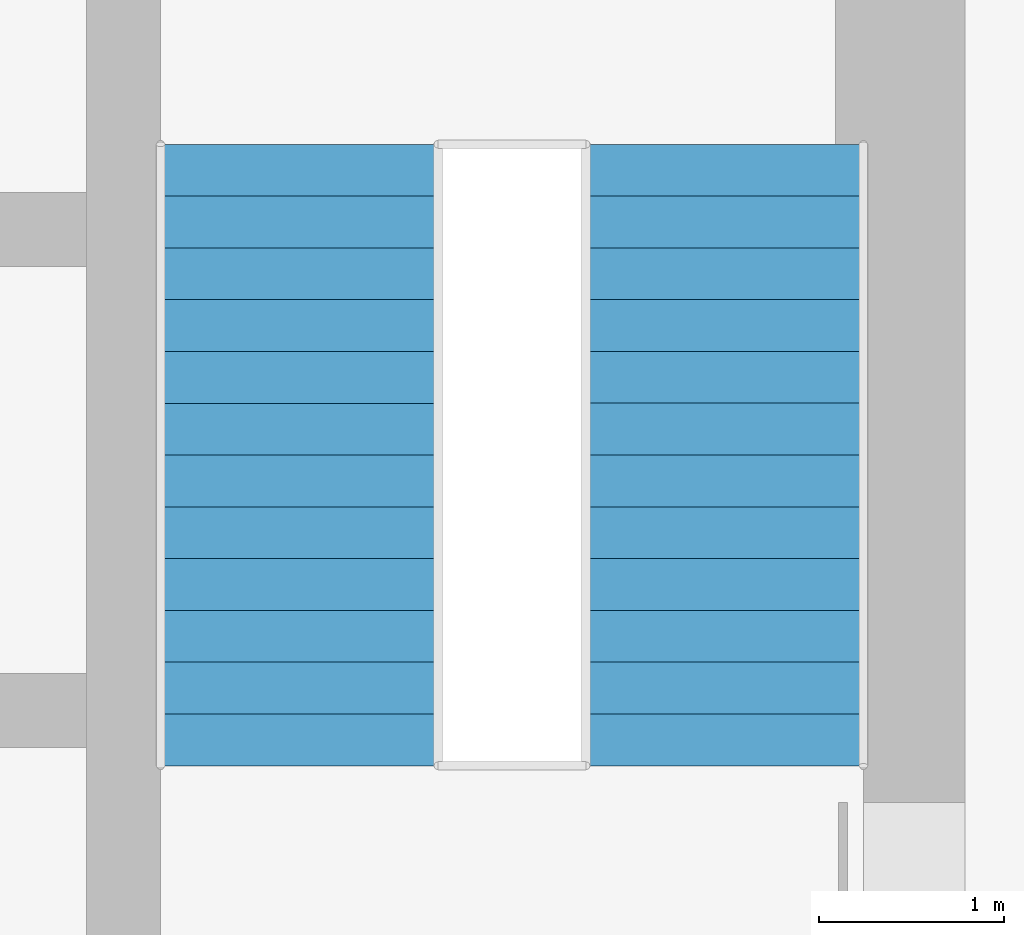
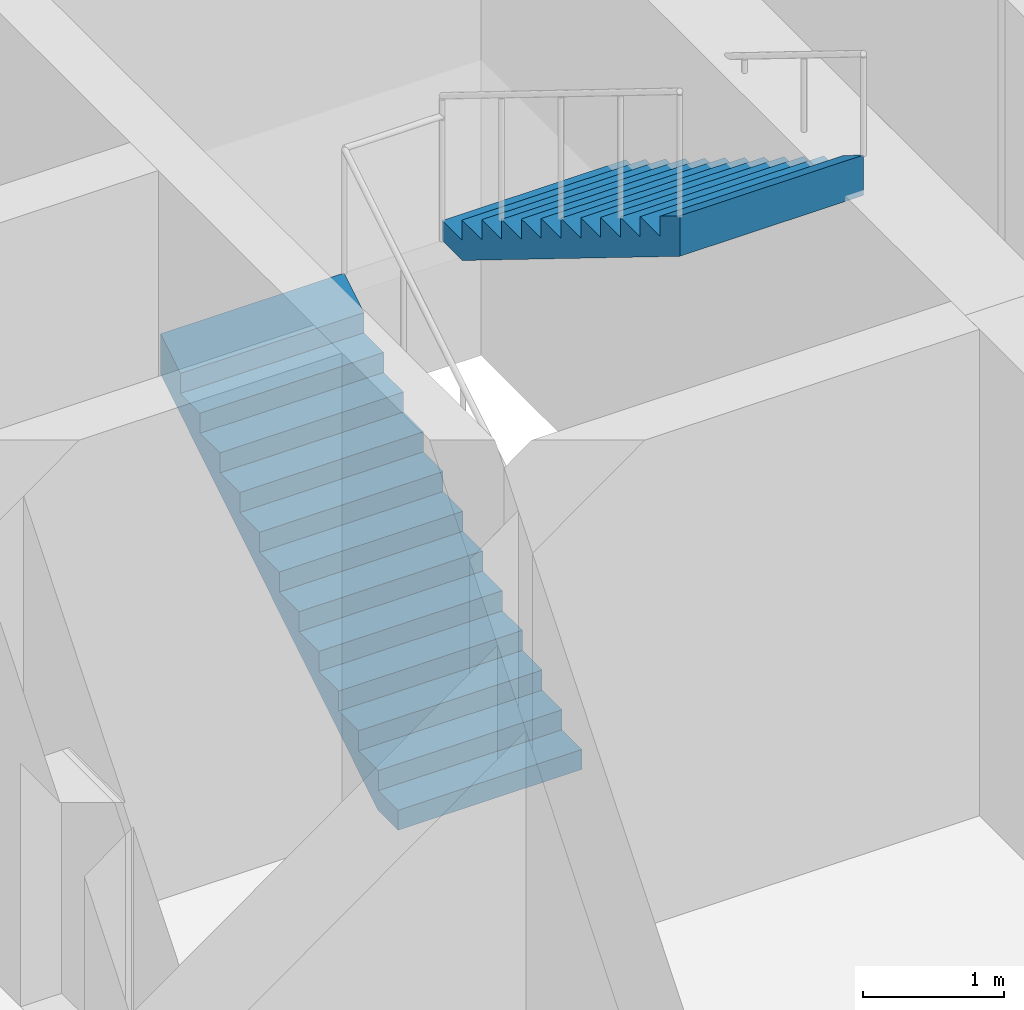
# One storey, part 7 of 8: 2 stair flights, 1 element without a shape of its own.
"""IFC4 building model written with IfcOpenShell, lengths in metres."""

from ifc_helpers import new_model, si_unit, direction, frame, origin, place, context, subcontext, project, spatial, triangles, material, type_object, element, aggregate, save


model = new_model("IFC4")

# Units and contexts
model_context = context("Model", 3, precision=1e-05, world=origin(), true_north=direction((0.0, 1.0)))
body_context = subcontext(model_context, "Body", "Model", "MODEL_VIEW")
ifc_project = project(units=[si_unit("LENGTHUNIT", "METRE"), si_unit("AREAUNIT", "SQUARE_METRE"), si_unit("VOLUMEUNIT", "CUBIC_METRE"), si_unit("PLANEANGLEUNIT", "RADIAN"), si_unit("MASSUNIT", "GRAM", prefix="KILO")], contexts=[model_context])

# Site, building, storey
site_placement = place(None, origin())
site = spatial("IfcSite", under=ifc_project, at=site_placement, CompositionType="ELEMENT")
building_placement = place(site_placement, origin())
building = spatial("IfcBuilding", under=site, at=building_placement, Name="Ludao Terraces", CompositionType="ELEMENT")
storey_placement = place(building_placement, frame((0.0, 0.0, 46.699951171875)))
storey = spatial("IfcBuildingStorey", under=building, at=storey_placement, Name="L12", CompositionType="ELEMENT", Elevation=46.699951171875)

# Stair, stair flights
ifc_material = material(Name="Concrete C40", Category="concrete")
stair_type = type_object("IfcStairType", Name="INT Stair", PredefinedType="HALF_TURN_STAIR", material=ifc_material)
stair_placement = place(storey_placement, origin())
stair = element("IfcStair", 1, at=stair_placement, inside=storey, type_object=stair_type, Name="EXIT STAIR 2", PredefinedType="HALF_TURN_STAIR")
stair_flight_type = type_object("IfcStairFlightType", Name="INT Stair flight", PredefinedType="STRAIGHT", material=ifc_material)
stair_flight_1_placement = place(storey_placement, frame((91.5, 79.0, 0.0), z_axis=(0.0, 0.0, 1.0), x_axis=(0.0, 1.0, 0.0)))
stair_flight_1 = element("IfcStairFlight", 2, at=stair_flight_1_placement, type_object=stair_flight_type, Name="ST2 flight 1", NumberOfRisers=13, NumberOfTreads=12, PredefinedType="STRAIGHT", RiserHeight=0.173077, TreadLength=0.28, context=body_context, shape_type="Tessellation", body=[
    triangles([(0.0, -0.75, 0.0), (0.0, -0.5, 0.0), (0.0, -0.25, 0.0), (0.0, 0.0, 0.0), (0.0, 0.25, 0.0), (0.0, 0.5, 0.0), (0.0, 0.75, 0.0), (0.0, -0.75, 0.173095703125), (0.0, -0.5, 0.173095703125), (0.0, -0.25, 0.173095703125), (0.0, 0.0, 0.173095703125), (0.0, 0.25, 0.173095703125), (0.0, 0.5, 0.173095703125), (0.0, 0.75, 0.173095703125), (0.280029296875, -0.75, 0.173095703125), (0.280029296875, -0.5, 0.173095703125), (0.280029296875, -0.25, 0.173095703125), (0.280029296875, 0.0, 0.173095703125), (0.280029296875, 0.25, 0.173095703125), (0.280029296875, 0.5, 0.173095703125), (0.280029296875, 0.75, 0.173095703125), (0.280029296875, -0.75, 0.34619140625), (0.280029296875, -0.5, 0.34619140625), (0.280029296875, -0.25, 0.34619140625), (0.280029296875, 0.0, 0.34619140625), (0.280029296875, 0.25, 0.34619140625), (0.280029296875, 0.5, 0.34619140625), (0.280029296875, 0.75, 0.34619140625), (0.56005859375, -0.75, 0.34619140625), (0.56005859375, -0.5, 0.34619140625), (0.56005859375, -0.25, 0.34619140625), (0.56005859375, 0.0, 0.34619140625), (0.56005859375, 0.25, 0.34619140625), (0.56005859375, 0.5, 0.34619140625), (0.56005859375, 0.75, 0.34619140625), (0.56005859375, -0.75, 0.519287109375), (0.56005859375, -0.5, 0.519287109375), (0.56005859375, -0.25, 0.519287109375), (0.56005859375, 0.0, 0.519287109375), (0.56005859375, 0.25, 0.519287109375), (0.56005859375, 0.5, 0.519287109375), (0.56005859375, 0.75, 0.519287109375), (0.840087890625, -0.75, 0.519287109375), (0.840087890625, -0.5, 0.519287109375), (0.840087890625, -0.25, 0.519287109375), (0.840087890625, 0.0, 0.519287109375), (0.840087890625, 0.25, 0.519287109375), (0.840087890625, 0.5, 0.519287109375), (0.840087890625, 0.75, 0.519287109375), (0.840087890625, -0.75, 0.6923828125), (0.840087890625, -0.5, 0.6923828125), (0.840087890625, -0.25, 0.6923828125), (0.840087890625, 0.0, 0.6923828125), (0.840087890625, 0.25, 0.6923828125), (0.840087890625, 0.5, 0.6923828125), (0.840087890625, 0.75, 0.6923828125), (1.1201171875, -0.75, 0.6923828125), (1.1201171875, -0.5, 0.6923828125), (1.1201171875, -0.25, 0.6923828125), (1.1201171875, 0.0, 0.6923828125), (1.1201171875, 0.25, 0.6923828125), (1.1201171875, 0.5, 0.6923828125), (1.1201171875, 0.75, 0.6923828125), (1.1201171875, -0.75, 0.865478515625), (1.1201171875, -0.5, 0.865478515625), (1.1201171875, -0.25, 0.865478515625), (1.1201171875, 0.0, 0.865478515625), (1.1201171875, 0.25, 0.865478515625), (1.1201171875, 0.5, 0.865478515625), (1.1201171875, 0.75, 0.865478515625), (1.39990234375, -0.75, 0.865478515625), (1.39990234375, -0.5, 0.865478515625), (1.39990234375, -0.25, 0.865478515625), (1.39990234375, 0.0, 0.865478515625), (1.39990234375, 0.25, 0.865478515625), (1.39990234375, 0.5, 0.865478515625), (1.39990234375, 0.75, 0.865478515625), (1.39990234375, -0.75, 1.03857421875), (1.39990234375, -0.5, 1.03857421875), (1.39990234375, -0.25, 1.03857421875), (1.39990234375, 0.0, 1.03857421875), (1.39990234375, 0.25, 1.03857421875), (1.39990234375, 0.5, 1.03857421875), (1.39990234375, 0.75, 1.03857421875), (1.679931640625, -0.75, 1.03857421875), (1.679931640625, -0.5, 1.03857421875), (1.679931640625, -0.25, 1.03857421875), (1.679931640625, 0.0, 1.03857421875), (1.679931640625, 0.25, 1.03857421875), (1.679931640625, 0.5, 1.03857421875), (1.679931640625, 0.75, 1.03857421875), (1.679931640625, -0.75, 1.21142578125), (1.679931640625, -0.5, 1.21142578125), (1.679931640625, -0.25, 1.21142578125), (1.679931640625, 0.0, 1.21142578125), (1.679931640625, 0.25, 1.21142578125), (1.679931640625, 0.5, 1.21142578125), (1.679931640625, 0.75, 1.21142578125), (1.9599609375, -0.75, 1.21142578125), (1.9599609375, -0.5, 1.21142578125), (1.9599609375, -0.25, 1.21142578125), (1.9599609375, 0.0, 1.21142578125), (1.9599609375, 0.25, 1.21142578125), (1.9599609375, 0.5, 1.21142578125), (1.9599609375, 0.75, 1.21142578125), (1.9599609375, -0.75, 1.384521484375), (1.9599609375, -0.5, 1.384521484375), (1.9599609375, -0.25, 1.384521484375), (1.9599609375, 0.0, 1.384521484375), (1.9599609375, 0.25, 1.384521484375), (1.9599609375, 0.5, 1.384521484375), (1.9599609375, 0.75, 1.384521484375), (2.239990234375, -0.75, 1.384521484375), (2.239990234375, -0.5, 1.384521484375), (2.239990234375, -0.25, 1.384521484375), (2.239990234375, 0.0, 1.384521484375), (2.239990234375, 0.25, 1.384521484375), (2.239990234375, 0.5, 1.384521484375), (2.239990234375, 0.75, 1.384521484375), (2.239990234375, -0.75, 1.5576171875), (2.239990234375, -0.5, 1.5576171875), (2.239990234375, -0.25, 1.5576171875), (2.239990234375, 0.0, 1.5576171875), (2.239990234375, 0.25, 1.5576171875), (2.239990234375, 0.5, 1.5576171875), (2.239990234375, 0.75, 1.5576171875), (2.52001953125, -0.75, 1.5576171875), (2.52001953125, -0.5, 1.5576171875), (2.52001953125, -0.25, 1.5576171875), (2.52001953125, 0.0, 1.5576171875), (2.52001953125, 0.25, 1.5576171875), (2.52001953125, 0.5, 1.5576171875), (2.52001953125, 0.75, 1.5576171875), (2.52001953125, -0.75, 1.730712890625), (2.52001953125, -0.5, 1.730712890625), (2.52001953125, -0.25, 1.730712890625), (2.52001953125, 0.0, 1.730712890625), (2.52001953125, 0.25, 1.730712890625), (2.52001953125, 0.5, 1.730712890625), (2.52001953125, 0.75, 1.730712890625), (2.800048828125, -0.75, 1.730712890625), (2.800048828125, -0.5, 1.730712890625), (2.800048828125, -0.25, 1.730712890625), (2.800048828125, 0.0, 1.730712890625), (2.800048828125, 0.25, 1.730712890625), (2.800048828125, 0.5, 1.730712890625), (2.800048828125, 0.75, 1.730712890625), (2.800048828125, -0.75, 1.90380859375), (2.800048828125, -0.5, 1.90380859375), (2.800048828125, -0.25, 1.90380859375), (2.800048828125, 0.0, 1.90380859375), (2.800048828125, 0.25, 1.90380859375), (2.800048828125, 0.5, 1.90380859375), (2.800048828125, 0.75, 1.90380859375), (3.080078125, -0.75, 1.90380859375), (3.080078125, -0.5, 1.90380859375), (3.080078125, -0.25, 1.90380859375), (3.080078125, 0.0, 1.90380859375), (3.080078125, 0.25, 1.90380859375), (3.080078125, 0.5, 1.90380859375), (3.080078125, 0.75, 1.90380859375), (3.080078125, -0.75, 2.076904296875), (3.080078125, -0.5, 2.076904296875), (3.080078125, -0.25, 2.076904296875), (3.080078125, 0.0, 2.076904296875), (3.080078125, 0.25, 2.076904296875), (3.080078125, 0.5, 2.076904296875), (3.080078125, 0.75, 2.076904296875), (3.360107421875, -0.75, 2.25), (3.360107421875, -0.5, 2.25), (3.360107421875, -0.25, 2.25), (3.360107421875, 0.0, 2.25), (3.360107421875, 0.25, 2.25), (3.360107421875, 0.5, 2.25), (3.360107421875, 0.75, 2.25), (3.360107421875, -0.75, 1.900634765625), (3.360107421875, -0.5, 1.900634765625), (3.360107421875, -0.25, 1.900634765625), (3.360107421875, 0.0, 1.900634765625), (3.360107421875, 0.25, 1.900634765625), (3.360107421875, 0.5, 1.900634765625), (3.360107421875, 0.75, 1.900634765625), (0.28515625, -0.75, 0.0), (0.28515625, -0.5, 0.0), (0.28515625, -0.25, 0.0), (0.28515625, 0.0, 0.0), (0.28515625, 0.25, 0.0), (0.28515625, 0.5, 0.0), (0.28515625, 0.75, 0.0)], [[1, 183, 176], [7, 182, 189], [176, 169, 162], [182, 168, 175], [176, 162, 155], [182, 161, 168], [176, 155, 148], [182, 154, 161], [176, 148, 141], [182, 147, 154], [141, 134, 127], [147, 133, 140], [176, 141, 127], [182, 133, 147], [127, 120, 113], [133, 119, 126], [176, 127, 113], [182, 119, 133], [113, 106, 99], [119, 105, 112], [176, 113, 99], [182, 105, 119], [1, 176, 99], [7, 105, 182], [99, 92, 85], [105, 91, 98], [85, 78, 71], [91, 77, 84], [99, 85, 71], [105, 77, 91], [71, 64, 57], [77, 63, 70], [99, 71, 57], [105, 63, 77], [57, 50, 43], [63, 49, 56], [99, 57, 43], [105, 49, 63], [43, 36, 29], [49, 35, 42], [99, 43, 29], [105, 35, 49], [29, 22, 15], [35, 21, 28], [99, 29, 15], [105, 21, 35], [1, 99, 15], [7, 21, 105], [15, 8, 1], [21, 7, 14], [1, 9, 2], [1, 8, 9], [2, 10, 3], [2, 9, 10], [3, 11, 4], [3, 10, 11], [4, 12, 5], [4, 11, 12], [5, 13, 6], [5, 12, 13], [6, 14, 7], [6, 13, 14], [8, 16, 9], [8, 15, 16], [9, 17, 10], [9, 16, 17], [10, 18, 11], [10, 17, 18], [11, 19, 12], [11, 18, 19], [12, 20, 13], [12, 19, 20], [13, 21, 14], [13, 20, 21], [15, 23, 16], [15, 22, 23], [16, 24, 17], [16, 23, 24], [17, 25, 18], [17, 24, 25], [18, 26, 19], [18, 25, 26], [19, 27, 20], [19, 26, 27], [20, 28, 21], [20, 27, 28], [22, 30, 23], [22, 29, 30], [23, 31, 24], [23, 30, 31], [24, 32, 25], [24, 31, 32], [25, 33, 26], [25, 32, 33], [26, 34, 27], [26, 33, 34], [27, 35, 28], [27, 34, 35], [29, 37, 30], [29, 36, 37], [30, 38, 31], [30, 37, 38], [31, 39, 32], [31, 38, 39], [32, 40, 33], [32, 39, 40], [33, 41, 34], [33, 40, 41], [34, 42, 35], [34, 41, 42], [36, 44, 37], [36, 43, 44], [37, 45, 38], [37, 44, 45], [38, 46, 39], [38, 45, 46], [39, 47, 40], [39, 46, 47], [40, 48, 41], [40, 47, 48], [41, 49, 42], [41, 48, 49], [43, 51, 44], [43, 50, 51], [44, 52, 45], [44, 51, 52], [45, 53, 46], [45, 52, 53], [46, 54, 47], [46, 53, 54], [47, 55, 48], [47, 54, 55], [48, 56, 49], [48, 55, 56], [50, 58, 51], [50, 57, 58], [51, 59, 52], [51, 58, 59], [52, 60, 53], [52, 59, 60], [53, 61, 54], [53, 60, 61], [54, 62, 55], [54, 61, 62], [55, 63, 56], [55, 62, 63], [57, 65, 58], [57, 64, 65], [58, 66, 59], [58, 65, 66], [59, 67, 60], [59, 66, 67], [60, 68, 61], [60, 67, 68], [61, 69, 62], [61, 68, 69], [62, 70, 63], [62, 69, 70], [64, 72, 65], [64, 71, 72], [65, 73, 66], [65, 72, 73], [66, 74, 67], [66, 73, 74], [67, 75, 68], [67, 74, 75], [68, 76, 69], [68, 75, 76], [69, 77, 70], [69, 76, 77], [71, 79, 72], [71, 78, 79], [72, 80, 73], [72, 79, 80], [73, 81, 74], [73, 80, 81], [74, 82, 75], [74, 81, 82], [75, 83, 76], [75, 82, 83], [76, 84, 77], [76, 83, 84], [78, 86, 79], [78, 85, 86], [79, 87, 80], [79, 86, 87], [80, 88, 81], [80, 87, 88], [81, 89, 82], [81, 88, 89], [82, 90, 83], [82, 89, 90], [83, 91, 84], [83, 90, 91], [85, 93, 86], [85, 92, 93], [86, 94, 87], [86, 93, 94], [87, 95, 88], [87, 94, 95], [88, 96, 89], [88, 95, 96], [89, 97, 90], [89, 96, 97], [90, 98, 91], [90, 97, 98], [92, 100, 93], [92, 99, 100], [93, 101, 94], [93, 100, 101], [94, 102, 95], [94, 101, 102], [95, 103, 96], [95, 102, 103], [96, 104, 97], [96, 103, 104], [97, 105, 98], [97, 104, 105], [99, 107, 100], [99, 106, 107], [100, 108, 101], [100, 107, 108], [101, 109, 102], [101, 108, 109], [102, 110, 103], [102, 109, 110], [103, 111, 104], [103, 110, 111], [104, 112, 105], [104, 111, 112], [106, 114, 107], [106, 113, 114], [107, 115, 108], [107, 114, 115], [108, 116, 109], [108, 115, 116], [109, 117, 110], [109, 116, 117], [110, 118, 111], [110, 117, 118], [111, 119, 112], [111, 118, 119], [113, 121, 114], [113, 120, 121], [114, 122, 115], [114, 121, 122], [115, 123, 116], [115, 122, 123], [116, 124, 117], [116, 123, 124], [117, 125, 118], [117, 124, 125], [118, 126, 119], [118, 125, 126], [120, 128, 121], [120, 127, 128], [121, 129, 122], [121, 128, 129], [122, 130, 123], [122, 129, 130], [123, 131, 124], [123, 130, 131], [124, 132, 125], [124, 131, 132], [125, 133, 126], [125, 132, 133], [127, 135, 128], [127, 134, 135], [128, 136, 129], [128, 135, 136], [129, 137, 130], [129, 136, 137], [130, 138, 131], [130, 137, 138], [131, 139, 132], [131, 138, 139], [132, 140, 133], [132, 139, 140], [134, 142, 135], [134, 141, 142], [135, 143, 136], [135, 142, 143], [136, 144, 137], [136, 143, 144], [137, 145, 138], [137, 144, 145], [138, 146, 139], [138, 145, 146], [139, 147, 140], [139, 146, 147], [141, 149, 142], [141, 148, 149], [142, 150, 143], [142, 149, 150], [143, 151, 144], [143, 150, 151], [144, 152, 145], [144, 151, 152], [145, 153, 146], [145, 152, 153], [146, 154, 147], [146, 153, 154], [148, 156, 149], [148, 155, 156], [149, 157, 150], [149, 156, 157], [150, 158, 151], [150, 157, 158], [151, 159, 152], [151, 158, 159], [152, 160, 153], [152, 159, 160], [153, 161, 154], [153, 160, 161], [155, 163, 156], [155, 162, 163], [156, 164, 157], [156, 163, 164], [157, 165, 158], [157, 164, 165], [158, 166, 159], [158, 165, 166], [159, 167, 160], [159, 166, 167], [160, 168, 161], [160, 167, 168], [162, 170, 163], [162, 169, 170], [163, 171, 164], [163, 170, 171], [164, 172, 165], [164, 171, 172], [165, 173, 166], [165, 172, 173], [166, 174, 167], [166, 173, 174], [167, 175, 168], [167, 174, 175], [169, 177, 170], [169, 176, 177], [170, 178, 171], [170, 177, 178], [171, 179, 172], [171, 178, 179], [172, 180, 173], [172, 179, 180], [173, 181, 174], [173, 180, 181], [174, 182, 175], [174, 181, 182], [176, 184, 177], [176, 183, 184], [177, 185, 178], [177, 184, 185], [178, 186, 179], [178, 185, 186], [179, 187, 180], [179, 186, 187], [180, 188, 181], [180, 187, 188], [181, 189, 182], [181, 188, 189], [183, 2, 184], [183, 1, 2], [184, 3, 185], [184, 2, 3], [185, 4, 186], [185, 3, 4], [186, 5, 187], [186, 4, 5], [187, 6, 188], [187, 5, 6], [188, 7, 189], [188, 6, 7]], closed=True),
])
stair_flight_2_placement = place(storey_placement, frame((93.800048828125, 82.360107421875, 2.25), z_axis=(0.0, 0.0, 1.0), x_axis=(0.0, -1.0, 0.0)))
stair_flight_2 = element("IfcStairFlight", 3, at=stair_flight_2_placement, type_object=stair_flight_type, Name="ST2 flight 2", NumberOfRisers=13, NumberOfTreads=12, PredefinedType="STRAIGHT", RiserHeight=0.173077, TreadLength=0.28, context=body_context, shape_type="Tessellation", body=[
    triangles([(0.0, -0.75, 0.0), (0.0, -0.5, 0.0), (0.0, -0.25, 0.0), (0.0, 0.0, 0.0), (0.0, 0.25, 0.0), (0.0, 0.5, 0.0), (0.0, 0.75, 0.0), (0.0, -0.75, 0.173095703125), (0.0, -0.5, 0.173095703125), (0.0, -0.25, 0.173095703125), (0.0, 0.0, 0.173095703125), (0.0, 0.25, 0.173095703125), (0.0, 0.5, 0.173095703125), (0.0, 0.75, 0.173095703125), (0.280029296875, -0.75, 0.173095703125), (0.280029296875, -0.5, 0.173095703125), (0.280029296875, -0.25, 0.173095703125), (0.280029296875, 0.0, 0.173095703125), (0.280029296875, 0.25, 0.173095703125), (0.280029296875, 0.5, 0.173095703125), (0.280029296875, 0.75, 0.173095703125), (0.280029296875, -0.75, 0.34619140625), (0.280029296875, -0.5, 0.34619140625), (0.280029296875, -0.25, 0.34619140625), (0.280029296875, 0.0, 0.34619140625), (0.280029296875, 0.25, 0.34619140625), (0.280029296875, 0.5, 0.34619140625), (0.280029296875, 0.75, 0.34619140625), (0.56005859375, -0.75, 0.34619140625), (0.56005859375, -0.5, 0.34619140625), (0.56005859375, -0.25, 0.34619140625), (0.56005859375, 0.0, 0.34619140625), (0.56005859375, 0.25, 0.34619140625), (0.56005859375, 0.5, 0.34619140625), (0.56005859375, 0.75, 0.34619140625), (0.56005859375, -0.75, 0.519287109375), (0.56005859375, -0.5, 0.519287109375), (0.56005859375, -0.25, 0.519287109375), (0.56005859375, 0.0, 0.519287109375), (0.56005859375, 0.25, 0.519287109375), (0.56005859375, 0.5, 0.519287109375), (0.56005859375, 0.75, 0.519287109375), (0.840087890625, -0.75, 0.519287109375), (0.840087890625, -0.5, 0.519287109375), (0.840087890625, -0.25, 0.519287109375), (0.840087890625, 0.0, 0.519287109375), (0.840087890625, 0.25, 0.519287109375), (0.840087890625, 0.5, 0.519287109375), (0.840087890625, 0.75, 0.519287109375), (0.840087890625, -0.75, 0.6923828125), (0.840087890625, -0.5, 0.6923828125), (0.840087890625, -0.25, 0.6923828125), (0.840087890625, 0.0, 0.6923828125), (0.840087890625, 0.25, 0.6923828125), (0.840087890625, 0.5, 0.6923828125), (0.840087890625, 0.75, 0.6923828125), (1.1201171875, -0.75, 0.6923828125), (1.1201171875, -0.5, 0.6923828125), (1.1201171875, -0.25, 0.6923828125), (1.1201171875, 0.0, 0.6923828125), (1.1201171875, 0.25, 0.6923828125), (1.1201171875, 0.5, 0.6923828125), (1.1201171875, 0.75, 0.6923828125), (1.1201171875, -0.75, 0.865478515625), (1.1201171875, -0.5, 0.865478515625), (1.1201171875, -0.25, 0.865478515625), (1.1201171875, 0.0, 0.865478515625), (1.1201171875, 0.25, 0.865478515625), (1.1201171875, 0.5, 0.865478515625), (1.1201171875, 0.75, 0.865478515625), (1.39990234375, -0.75, 0.865478515625), (1.39990234375, -0.5, 0.865478515625), (1.39990234375, -0.25, 0.865478515625), (1.39990234375, 0.0, 0.865478515625), (1.39990234375, 0.25, 0.865478515625), (1.39990234375, 0.5, 0.865478515625), (1.39990234375, 0.75, 0.865478515625), (1.39990234375, -0.75, 1.03857421875), (1.39990234375, -0.5, 1.03857421875), (1.39990234375, -0.25, 1.03857421875), (1.39990234375, 0.0, 1.03857421875), (1.39990234375, 0.25, 1.03857421875), (1.39990234375, 0.5, 1.03857421875), (1.39990234375, 0.75, 1.03857421875), (1.679931640625, -0.75, 1.03857421875), (1.679931640625, -0.5, 1.03857421875), (1.679931640625, -0.25, 1.03857421875), (1.679931640625, 0.0, 1.03857421875), (1.679931640625, 0.25, 1.03857421875), (1.679931640625, 0.5, 1.03857421875), (1.679931640625, 0.75, 1.03857421875), (1.679931640625, -0.75, 1.21142578125), (1.679931640625, -0.5, 1.21142578125), (1.679931640625, -0.25, 1.21142578125), (1.679931640625, 0.0, 1.21142578125), (1.679931640625, 0.25, 1.21142578125), (1.679931640625, 0.5, 1.21142578125), (1.679931640625, 0.75, 1.21142578125), (1.9599609375, -0.75, 1.21142578125), (1.9599609375, -0.5, 1.21142578125), (1.9599609375, -0.25, 1.21142578125), (1.9599609375, 0.0, 1.21142578125), (1.9599609375, 0.25, 1.21142578125), (1.9599609375, 0.5, 1.21142578125), (1.9599609375, 0.75, 1.21142578125), (1.9599609375, -0.75, 1.384521484375), (1.9599609375, -0.5, 1.384521484375), (1.9599609375, -0.25, 1.384521484375), (1.9599609375, 0.0, 1.384521484375), (1.9599609375, 0.25, 1.384521484375), (1.9599609375, 0.5, 1.384521484375), (1.9599609375, 0.75, 1.384521484375), (2.239990234375, -0.75, 1.384521484375), (2.239990234375, -0.5, 1.384521484375), (2.239990234375, -0.25, 1.384521484375), (2.239990234375, 0.0, 1.384521484375), (2.239990234375, 0.25, 1.384521484375), (2.239990234375, 0.5, 1.384521484375), (2.239990234375, 0.75, 1.384521484375), (2.239990234375, -0.75, 1.5576171875), (2.239990234375, -0.5, 1.5576171875), (2.239990234375, -0.25, 1.5576171875), (2.239990234375, 0.0, 1.5576171875), (2.239990234375, 0.25, 1.5576171875), (2.239990234375, 0.5, 1.5576171875), (2.239990234375, 0.75, 1.5576171875), (2.52001953125, -0.75, 1.5576171875), (2.52001953125, -0.5, 1.5576171875), (2.52001953125, -0.25, 1.5576171875), (2.52001953125, 0.0, 1.5576171875), (2.52001953125, 0.25, 1.5576171875), (2.52001953125, 0.5, 1.5576171875), (2.52001953125, 0.75, 1.5576171875), (2.52001953125, -0.75, 1.730712890625), (2.52001953125, -0.5, 1.730712890625), (2.52001953125, -0.25, 1.730712890625), (2.52001953125, 0.0, 1.730712890625), (2.52001953125, 0.25, 1.730712890625), (2.52001953125, 0.5, 1.730712890625), (2.52001953125, 0.75, 1.730712890625), (2.800048828125, -0.75, 1.730712890625), (2.800048828125, -0.5, 1.730712890625), (2.800048828125, -0.25, 1.730712890625), (2.800048828125, 0.0, 1.730712890625), (2.800048828125, 0.25, 1.730712890625), (2.800048828125, 0.5, 1.730712890625), (2.800048828125, 0.75, 1.730712890625), (2.800048828125, -0.75, 1.90380859375), (2.800048828125, -0.5, 1.90380859375), (2.800048828125, -0.25, 1.90380859375), (2.800048828125, 0.0, 1.90380859375), (2.800048828125, 0.25, 1.90380859375), (2.800048828125, 0.5, 1.90380859375), (2.800048828125, 0.75, 1.90380859375), (3.080078125, -0.75, 1.90380859375), (3.080078125, -0.5, 1.90380859375), (3.080078125, -0.25, 1.90380859375), (3.080078125, 0.0, 1.90380859375), (3.080078125, 0.25, 1.90380859375), (3.080078125, 0.5, 1.90380859375), (3.080078125, 0.75, 1.90380859375), (3.080078125, -0.75, 2.076904296875), (3.080078125, -0.5, 2.076904296875), (3.080078125, -0.25, 2.076904296875), (3.080078125, 0.0, 2.076904296875), (3.080078125, 0.25, 2.076904296875), (3.080078125, 0.5, 2.076904296875), (3.080078125, 0.75, 2.076904296875), (3.360107421875, -0.75, 2.25), (3.360107421875, -0.5, 2.25), (3.360107421875, -0.25, 2.25), (3.360107421875, 0.0, 2.25), (3.360107421875, 0.25, 2.25), (3.360107421875, 0.5, 2.25), (3.360107421875, 0.75, 2.25), (3.360107421875, -0.75, 1.900634765625), (3.360107421875, -0.5, 1.900634765625), (3.360107421875, -0.25, 1.900634765625), (3.360107421875, 0.0, 1.900634765625), (3.360107421875, 0.25, 1.900634765625), (3.360107421875, 0.5, 1.900634765625), (3.360107421875, 0.75, 1.900634765625), (0.28515625, -0.75, 0.0), (0.28515625, -0.5, 0.0), (0.28515625, -0.25, 0.0), (0.28515625, 0.0, 0.0), (0.28515625, 0.25, 0.0), (0.28515625, 0.5, 0.0), (0.28515625, 0.75, 0.0)], [[1, 183, 176], [7, 182, 189], [176, 169, 162], [182, 168, 175], [176, 162, 155], [182, 161, 168], [176, 155, 148], [182, 154, 161], [176, 148, 141], [182, 147, 154], [141, 134, 127], [147, 133, 140], [176, 141, 127], [182, 133, 147], [127, 120, 113], [133, 119, 126], [176, 127, 113], [182, 119, 133], [113, 106, 99], [119, 105, 112], [176, 113, 99], [182, 105, 119], [1, 176, 99], [7, 105, 182], [99, 92, 85], [105, 91, 98], [85, 78, 71], [91, 77, 84], [99, 85, 71], [105, 77, 91], [71, 64, 57], [77, 63, 70], [99, 71, 57], [105, 63, 77], [57, 50, 43], [63, 49, 56], [99, 57, 43], [105, 49, 63], [43, 36, 29], [49, 35, 42], [99, 43, 29], [105, 35, 49], [29, 22, 15], [35, 21, 28], [99, 29, 15], [105, 21, 35], [1, 99, 15], [7, 21, 105], [15, 8, 1], [21, 7, 14], [1, 9, 2], [1, 8, 9], [2, 10, 3], [2, 9, 10], [3, 11, 4], [3, 10, 11], [4, 12, 5], [4, 11, 12], [5, 13, 6], [5, 12, 13], [6, 14, 7], [6, 13, 14], [8, 16, 9], [8, 15, 16], [9, 17, 10], [9, 16, 17], [10, 18, 11], [10, 17, 18], [11, 19, 12], [11, 18, 19], [12, 20, 13], [12, 19, 20], [13, 21, 14], [13, 20, 21], [15, 23, 16], [15, 22, 23], [16, 24, 17], [16, 23, 24], [17, 25, 18], [17, 24, 25], [18, 26, 19], [18, 25, 26], [19, 27, 20], [19, 26, 27], [20, 28, 21], [20, 27, 28], [22, 30, 23], [22, 29, 30], [23, 31, 24], [23, 30, 31], [24, 32, 25], [24, 31, 32], [25, 33, 26], [25, 32, 33], [26, 34, 27], [26, 33, 34], [27, 35, 28], [27, 34, 35], [29, 37, 30], [29, 36, 37], [30, 38, 31], [30, 37, 38], [31, 39, 32], [31, 38, 39], [32, 40, 33], [32, 39, 40], [33, 41, 34], [33, 40, 41], [34, 42, 35], [34, 41, 42], [36, 44, 37], [36, 43, 44], [37, 45, 38], [37, 44, 45], [38, 46, 39], [38, 45, 46], [39, 47, 40], [39, 46, 47], [40, 48, 41], [40, 47, 48], [41, 49, 42], [41, 48, 49], [43, 51, 44], [43, 50, 51], [44, 52, 45], [44, 51, 52], [45, 53, 46], [45, 52, 53], [46, 54, 47], [46, 53, 54], [47, 55, 48], [47, 54, 55], [48, 56, 49], [48, 55, 56], [50, 58, 51], [50, 57, 58], [51, 59, 52], [51, 58, 59], [52, 60, 53], [52, 59, 60], [53, 61, 54], [53, 60, 61], [54, 62, 55], [54, 61, 62], [55, 63, 56], [55, 62, 63], [57, 65, 58], [57, 64, 65], [58, 66, 59], [58, 65, 66], [59, 67, 60], [59, 66, 67], [60, 68, 61], [60, 67, 68], [61, 69, 62], [61, 68, 69], [62, 70, 63], [62, 69, 70], [64, 72, 65], [64, 71, 72], [65, 73, 66], [65, 72, 73], [66, 74, 67], [66, 73, 74], [67, 75, 68], [67, 74, 75], [68, 76, 69], [68, 75, 76], [69, 77, 70], [69, 76, 77], [71, 79, 72], [71, 78, 79], [72, 80, 73], [72, 79, 80], [73, 81, 74], [73, 80, 81], [74, 82, 75], [74, 81, 82], [75, 83, 76], [75, 82, 83], [76, 84, 77], [76, 83, 84], [78, 86, 79], [78, 85, 86], [79, 87, 80], [79, 86, 87], [80, 88, 81], [80, 87, 88], [81, 89, 82], [81, 88, 89], [82, 90, 83], [82, 89, 90], [83, 91, 84], [83, 90, 91], [85, 93, 86], [85, 92, 93], [86, 94, 87], [86, 93, 94], [87, 95, 88], [87, 94, 95], [88, 96, 89], [88, 95, 96], [89, 97, 90], [89, 96, 97], [90, 98, 91], [90, 97, 98], [92, 100, 93], [92, 99, 100], [93, 101, 94], [93, 100, 101], [94, 102, 95], [94, 101, 102], [95, 103, 96], [95, 102, 103], [96, 104, 97], [96, 103, 104], [97, 105, 98], [97, 104, 105], [99, 107, 100], [99, 106, 107], [100, 108, 101], [100, 107, 108], [101, 109, 102], [101, 108, 109], [102, 110, 103], [102, 109, 110], [103, 111, 104], [103, 110, 111], [104, 112, 105], [104, 111, 112], [106, 114, 107], [106, 113, 114], [107, 115, 108], [107, 114, 115], [108, 116, 109], [108, 115, 116], [109, 117, 110], [109, 116, 117], [110, 118, 111], [110, 117, 118], [111, 119, 112], [111, 118, 119], [113, 121, 114], [113, 120, 121], [114, 122, 115], [114, 121, 122], [115, 123, 116], [115, 122, 123], [116, 124, 117], [116, 123, 124], [117, 125, 118], [117, 124, 125], [118, 126, 119], [118, 125, 126], [120, 128, 121], [120, 127, 128], [121, 129, 122], [121, 128, 129], [122, 130, 123], [122, 129, 130], [123, 131, 124], [123, 130, 131], [124, 132, 125], [124, 131, 132], [125, 133, 126], [125, 132, 133], [127, 135, 128], [127, 134, 135], [128, 136, 129], [128, 135, 136], [129, 137, 130], [129, 136, 137], [130, 138, 131], [130, 137, 138], [131, 139, 132], [131, 138, 139], [132, 140, 133], [132, 139, 140], [134, 142, 135], [134, 141, 142], [135, 143, 136], [135, 142, 143], [136, 144, 137], [136, 143, 144], [137, 145, 138], [137, 144, 145], [138, 146, 139], [138, 145, 146], [139, 147, 140], [139, 146, 147], [141, 149, 142], [141, 148, 149], [142, 150, 143], [142, 149, 150], [143, 151, 144], [143, 150, 151], [144, 152, 145], [144, 151, 152], [145, 153, 146], [145, 152, 153], [146, 154, 147], [146, 153, 154], [148, 156, 149], [148, 155, 156], [149, 157, 150], [149, 156, 157], [150, 158, 151], [150, 157, 158], [151, 159, 152], [151, 158, 159], [152, 160, 153], [152, 159, 160], [153, 161, 154], [153, 160, 161], [155, 163, 156], [155, 162, 163], [156, 164, 157], [156, 163, 164], [157, 165, 158], [157, 164, 165], [158, 166, 159], [158, 165, 166], [159, 167, 160], [159, 166, 167], [160, 168, 161], [160, 167, 168], [162, 170, 163], [162, 169, 170], [163, 171, 164], [163, 170, 171], [164, 172, 165], [164, 171, 172], [165, 173, 166], [165, 172, 173], [166, 174, 167], [166, 173, 174], [167, 175, 168], [167, 174, 175], [169, 177, 170], [169, 176, 177], [170, 178, 171], [170, 177, 178], [171, 179, 172], [171, 178, 179], [172, 180, 173], [172, 179, 180], [173, 181, 174], [173, 180, 181], [174, 182, 175], [174, 181, 182], [176, 184, 177], [176, 183, 184], [177, 185, 178], [177, 184, 185], [178, 186, 179], [178, 185, 186], [179, 187, 180], [179, 186, 187], [180, 188, 181], [180, 187, 188], [181, 189, 182], [181, 188, 189], [183, 2, 184], [183, 1, 2], [184, 3, 185], [184, 2, 3], [185, 4, 186], [185, 3, 4], [186, 5, 187], [186, 4, 5], [187, 6, 188], [187, 5, 6], [188, 7, 189], [188, 6, 7]], closed=True),
])
aggregate(stair, [stair_flight_1, stair_flight_2])

save(model, "model.ifc")
